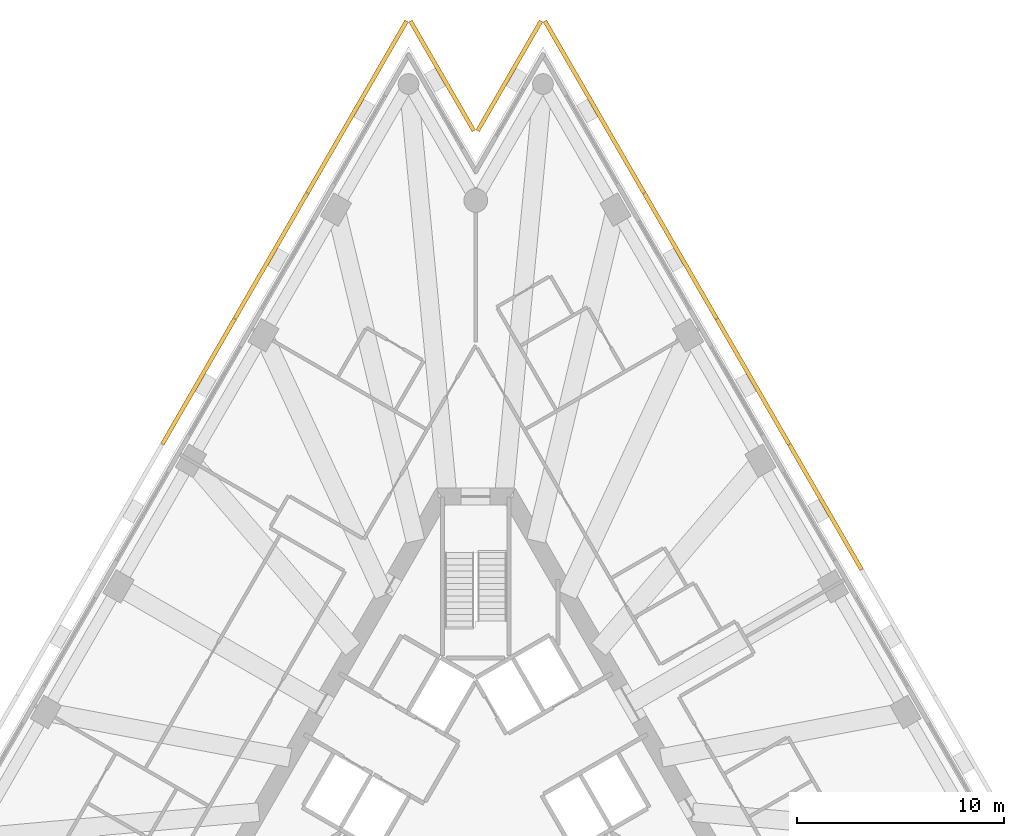
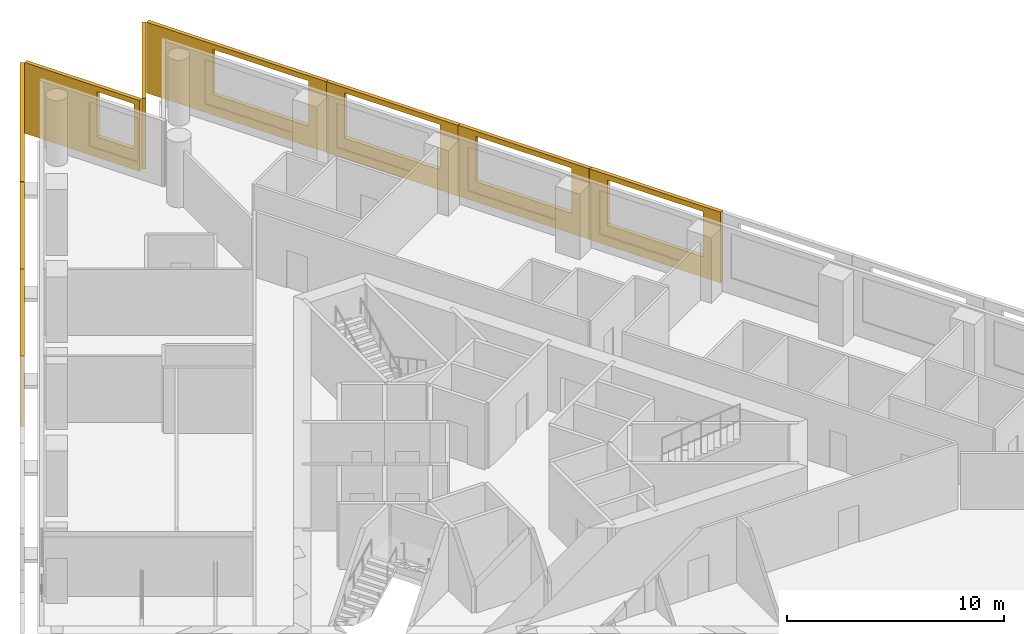
# One storey, part 10 of 10: 9 shading devices.
"""IFC4 building model written with IfcOpenShell, lengths in metres."""

from ifc_helpers import new_model, si_unit, direction, frame, origin, place, context, subcontext, project, spatial, polyline, outline, extrude, material, layer, layer_set, type_object, element, save


model = new_model("IFC4")

# Units and contexts
model_context = context("Model", 3, precision=1e-05, world=origin(), true_north=direction((0.0, 1.0)))
body_context = subcontext(model_context, "Body", "Model", "MODEL_VIEW")
ifc_project = project(units=[si_unit("LENGTHUNIT", "METRE"), si_unit("AREAUNIT", "SQUARE_METRE"), si_unit("VOLUMEUNIT", "CUBIC_METRE"), si_unit("PLANEANGLEUNIT", "RADIAN"), si_unit("MASSUNIT", "GRAM", prefix="KILO")], contexts=[model_context])

# Site, building, storey
site_placement = place(None, origin())
site = spatial("IfcSite", under=ifc_project, at=site_placement, CompositionType="ELEMENT")
building_placement = place(site_placement, origin())
building = spatial("IfcBuilding", under=site, at=building_placement, Name="Triada Interchange Tower", CompositionType="ELEMENT")
storey_placement = place(building_placement, frame((0.0, 0.0, 104.300048828125)))
storey = spatial("IfcBuildingStorey", under=building, at=storey_placement, Name="L23", CompositionType="ELEMENT", Elevation=104.300048828125)

# Shading devices
ifc_material = material(Name="Concrete C50/60 precast", Category="concrete")
ifc_layer_1 = layer(ifc_material, 0.02001953125, Name="Exposed aggregate face")
ifc_layer_2 = layer(ifc_material, 0.179931640625, Name="Precast concrete screen")
ifc_layer_set = layer_set([ifc_layer_1, ifc_layer_2], Name="Outer skin screen panel 3980")
shading_device_type = type_object("IfcShadingDeviceType", Name="Outer skin screen panel 3980", PredefinedType="SHUTTER", material=ifc_layer_set)
shading_device_1_placement = place(storey_placement, frame((-3.25, 37.2041015625, -0.2900390625), z_axis=(0.0, 0.0, 1.0), x_axis=(-0.500020270231, -0.866013700445, 0.0)))
element("IfcShadingDevice", 1, at=shading_device_1_placement, inside=storey, type_object=shading_device_type, Name="Outer skin screen panel L23 01", PredefinedType="SHUTTER", context=body_context, shape_type="SweptSolid", body=[
    extrude(outline(polyline([(0.0, 0.0), (9.57958984375, 0.0), (9.57958984375, 3.97998046875), (0.0, 3.97998046875), (0.0, 0.0)]), holes=[polyline([(3.53857421875, 1.139892578125), (3.53857421875, 3.68994140625), (8.638671875, 3.68994140625), (8.638671875, 1.139892578125), (3.53857421875, 1.139892578125)])]), frame((0.0, 0.0, 0.0), z_axis=(0.0, -1.0, 0.0), x_axis=(1.0, 0.0, 0.0)), (0.0, 0.0, 1.0), 0.199951171875),
])
shading_device_2_placement = place(storey_placement, frame((-8.050048828125, 28.89111328125, -0.2900390625), z_axis=(0.0, 0.0, 1.0), x_axis=(-0.499963579623, -0.866046430078, 0.0)))
element("IfcShadingDevice", 2, at=shading_device_2_placement, inside=storey, type_object=shading_device_type, Name="Outer skin screen panel L23 02", PredefinedType="SHUTTER", context=body_context, shape_type="SweptSolid", body=[
    extrude(outline(polyline([(0.0, 0.0), (6.982421875, 0.0), (6.982421875, 3.97998046875), (0.0, 3.97998046875), (0.0, 0.0)]), holes=[polyline([(0.94091796875, 1.139892578125), (0.94091796875, 3.68994140625), (6.040771484375, 3.68994140625), (6.040771484375, 1.139892578125), (0.94091796875, 1.139892578125)])]), frame((0.0, 0.0, 0.0), z_axis=(0.0, -1.0, 0.0), x_axis=(1.0, 0.0, 0.0)), (0.0, 0.0, 1.0), 0.199951171875),
])
shading_device_3_placement = place(storey_placement, frame((-11.551025390625, 22.826904296875, -0.2900390625), z_axis=(0.0, 0.0, 1.0), x_axis=(-0.5000392868, -0.866002720352, 0.0)))
element("IfcShadingDevice", 3, at=shading_device_3_placement, inside=storey, type_object=shading_device_type, Name="Outer skin screen panel L23 03", PredefinedType="SHUTTER", context=body_context, shape_type="SweptSolid", body=[
    extrude(outline(polyline([(0.0, 0.0), (6.9814453125, 0.0), (6.9814453125, 3.97998046875), (0.0, 3.97998046875), (0.0, 0.0)]), holes=[polyline([(0.941162109375, 1.139892578125), (0.941162109375, 3.68994140625), (6.041015625, 3.68994140625), (6.041015625, 1.139892578125), (0.941162109375, 1.139892578125)])]), frame((0.0, 0.0, 0.0), z_axis=(0.0, -1.0, 0.0), x_axis=(1.0, 0.0, 0.0)), (0.0, 0.0, 1.0), 0.199951171875),
])
shading_device_4_placement = place(storey_placement, frame((18.54296875, 10.717041015625, -0.2900390625), z_axis=(0.0, 0.0, 1.0), x_axis=(-0.49997871953, 0.866037689721, 0.0)))
element("IfcShadingDevice", 4, at=shading_device_4_placement, inside=storey, type_object=shading_device_type, Name="Outer skin screen panel L23 25", PredefinedType="SHUTTER", context=body_context, shape_type="SweptSolid", body=[
    extrude(outline(polyline([(0.0, 0.0), (6.982177734375, 0.0), (6.982177734375, 3.97998046875), (0.0, 3.97998046875), (0.0, 0.0)]), holes=[polyline([(0.9404296875, 1.139892578125), (0.9404296875, 3.68994140625), (6.04052734375, 3.68994140625), (6.04052734375, 1.139892578125), (0.9404296875, 1.139892578125)])]), frame((0.0, 0.0, 0.0), z_axis=(0.0, -1.0, 0.0), x_axis=(1.0, 0.0, 0.0)), (0.0, 0.0, 1.0), 0.199951171875),
])
shading_device_5_placement = place(storey_placement, frame((15.0419921875, 16.781005859375, -0.2900390625), z_axis=(0.0, 0.0, 1.0), x_axis=(-0.5000392868, 0.866002720352, 0.0)))
element("IfcShadingDevice", 5, at=shading_device_5_placement, inside=storey, type_object=shading_device_type, Name="Outer skin screen panel L23 26", PredefinedType="SHUTTER", context=body_context, shape_type="SweptSolid", body=[
    extrude(outline(polyline([(0.0, 0.0), (6.9814453125, 0.0), (6.9814453125, 3.97998046875), (0.0, 3.97998046875), (0.0, 0.0)]), holes=[polyline([(0.94091796875, 1.139892578125), (0.94091796875, 3.68994140625), (6.040771484375, 3.68994140625), (6.040771484375, 1.139892578125), (0.94091796875, 1.139892578125)])]), frame((0.0, 0.0, 0.0), z_axis=(0.0, -1.0, 0.0), x_axis=(1.0, 0.0, 0.0)), (0.0, 0.0, 1.0), 0.199951171875),
])
shading_device_6_placement = place(storey_placement, frame((11.541015625, 22.843994140625, -0.2900390625), z_axis=(0.0, 0.0, 1.0), x_axis=(-0.499963579623, 0.866046430078, 0.0)))
element("IfcShadingDevice", 6, at=shading_device_6_placement, inside=storey, type_object=shading_device_type, Name="Outer skin screen panel L23 27", PredefinedType="SHUTTER", context=body_context, shape_type="SweptSolid", body=[
    extrude(outline(polyline([(0.0, 0.0), (6.982421875, 0.0), (6.982421875, 3.97998046875), (0.0, 3.97998046875), (0.0, 0.0)]), holes=[polyline([(0.941162109375, 1.139892578125), (0.941162109375, 3.68994140625), (6.041015625, 3.68994140625), (6.041015625, 1.139892578125), (0.941162109375, 1.139892578125)])]), frame((0.0, 0.0, 0.0), z_axis=(0.0, -1.0, 0.0), x_axis=(1.0, 0.0, 0.0)), (0.0, 0.0, 1.0), 0.199951171875),
])
shading_device_7_placement = place(storey_placement, frame((8.0400390625, 28.907958984375, -0.2900390625), z_axis=(0.0, 0.0, 1.0), x_axis=(-0.500020270231, 0.866013700445, 0.0)))
element("IfcShadingDevice", 7, at=shading_device_7_placement, inside=storey, type_object=shading_device_type, Name="Outer skin screen panel L23 28", PredefinedType="SHUTTER", context=body_context, shape_type="SweptSolid", body=[
    extrude(outline(polyline([(0.0, 0.0), (9.57958984375, 0.0), (9.57958984375, 3.97998046875), (0.0, 3.97998046875), (0.0, 0.0)]), holes=[polyline([(0.9404296875, 1.139892578125), (0.9404296875, 3.68994140625), (6.040283203125, 3.68994140625), (6.040283203125, 1.139892578125), (0.9404296875, 1.139892578125)])]), frame((0.0, 0.0, 0.0), z_axis=(0.0, -1.0, 0.0), x_axis=(1.0, 0.0, 0.0)), (0.0, 0.0, 1.0), 0.199951171875),
])
shading_device_8_placement = place(storey_placement, frame((3.239990234375, 37.2041015625, -0.2900390625), z_axis=(0.0, 0.0, 1.0), x_axis=(-0.500110176223, -0.865961784167, 0.0)))
element("IfcShadingDevice", 8, at=shading_device_8_placement, inside=storey, type_object=shading_device_type, Name="Outer skin screen panel L23 29", PredefinedType="SHUTTER", context=body_context, shape_type="SweptSolid", body=[
    extrude(outline(polyline([(0.0, 0.0), (6.12255859375, 0.0), (6.12255859375, 3.97998046875), (0.0, 3.97998046875), (0.0, 0.0)]), holes=[polyline([(3.175537109375, 1.139892578125), (3.175537109375, 3.68994140625), (5.8232421875, 3.68994140625), (5.8232421875, 1.139892578125), (3.175537109375, 1.139892578125)])]), frame((0.0, 0.0, 0.0), z_axis=(0.0, -1.0, 0.0), x_axis=(1.0, 0.0, 0.0)), (0.0, 0.0, 1.0), 0.199951171875),
])
shading_device_9_placement = place(storey_placement, frame((-0.177978515625, 31.902099609375, -0.2900390625), z_axis=(0.0, 0.0, 1.0), x_axis=(-0.500110176223, 0.865961784167, 0.0)))
element("IfcShadingDevice", 9, at=shading_device_9_placement, inside=storey, type_object=shading_device_type, Name="Outer skin screen panel L23 30", PredefinedType="SHUTTER", context=body_context, shape_type="SweptSolid", body=[
    extrude(outline(polyline([(0.0, 0.0), (6.12255859375, 0.0), (6.12255859375, 3.97998046875), (0.0, 3.97998046875), (0.0, 0.0)]), holes=[polyline([(0.300048828125, 1.139892578125), (0.300048828125, 3.68994140625), (2.2578125, 3.68994140625), (2.2578125, 1.139892578125), (0.300048828125, 1.139892578125)])]), frame((0.0, 0.0, 0.0), z_axis=(0.0, -1.0, 0.0), x_axis=(1.0, 0.0, 0.0)), (0.0, 0.0, 1.0), 0.199951171875),
])

save(model, "model.ifc")
